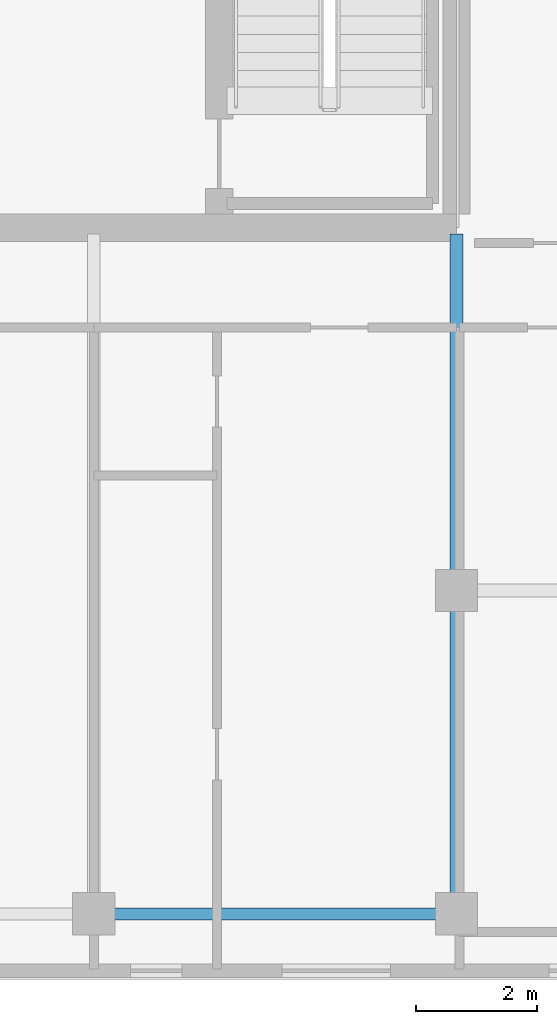
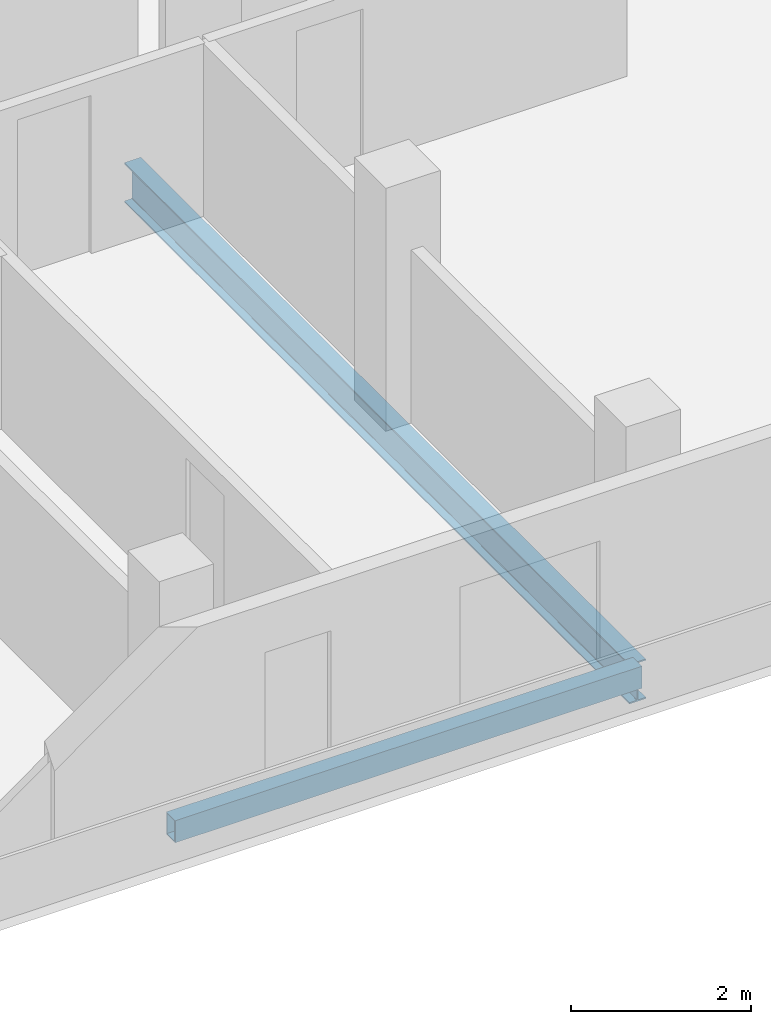
# One storey, part 15 of 29: 2 beams.
"""IFC4 building model written with IfcOpenShell, lengths in metres."""

from ifc_helpers import new_model, si_unit, direction, frame, origin, origin_2d, place, context, subcontext, project, spatial, hollow_rectangle, i_section, extrude, material, material_profile, profile_set, type_object, element, save


model = new_model("IFC4")

# Units and contexts
model_context = context("Model", 3, precision=1e-05, world=origin(), true_north=direction((0.0, 1.0)))
body_context = subcontext(model_context, "Body", "Model", "MODEL_VIEW")
ifc_project = project(units=[si_unit("LENGTHUNIT", "METRE"), si_unit("AREAUNIT", "SQUARE_METRE"), si_unit("VOLUMEUNIT", "CUBIC_METRE"), si_unit("PLANEANGLEUNIT", "RADIAN"), si_unit("MASSUNIT", "GRAM", prefix="KILO")], contexts=[model_context])

# Site, building, storey
site_placement = place(None, origin())
site = spatial("IfcSite", under=ifc_project, at=site_placement, CompositionType="ELEMENT")
building_placement = place(site_placement, origin())
building = spatial("IfcBuilding", under=site, at=building_placement, Name="Tanjung Sevakor Pilgrim Tower", CompositionType="ELEMENT")
storey_placement = place(building_placement, frame((0.0, 0.0, 235.949951171875)))
storey = spatial("IfcBuildingStorey", under=building, at=storey_placement, Name="L66", CompositionType="ELEMENT", Elevation=235.949951171875)

# Beams
ifc_material_1 = material(Name="Steel S355J2", Category="steel")
ifc_material_profile_1 = material_profile(ifc_material_1, i_section(OverallWidth=0.210693359375, OverallDepth=0.53955078125, WebThickness=0.01171875, FlangeThickness=0.018798828125, FilletRadius=0.0126953125, at=origin_2d()))
ifc_profile_set_1 = profile_set([ifc_material_profile_1], Name="Steel S355J2")
beam_type_1 = type_object("IfcBeamType", Name="BM-B-G6-UB_533x210x109", PredefinedType="BEAM", material=ifc_profile_set_1)
beam_1_placement = place(storey_placement, frame((90.0, 13.25, -0.48974609375), z_axis=(0.0, 1.0, 0.0), x_axis=(-1.0, 0.0, 0.0)))
element("IfcBeam", 1, at=beam_1_placement, inside=storey, type_object=beam_type_1, Name="L66 EAST Girder 009", PredefinedType="BEAM", context=body_context, shape_type="SweptSolid", body=[
    extrude(i_section(OverallWidth=0.210693359375, OverallDepth=0.53955078125, WebThickness=0.01171875, FlangeThickness=0.018798828125, FilletRadius=0.0126953125, at=origin_2d()), origin(), (0.0, 0.0, 1.0), 11.243896484375),
])
ifc_material_2 = material(Name="Steel S355J2", Category="steel")
ifc_material_profile_2 = material_profile(ifc_material_2, hollow_rectangle(XDim=0.199951171875, YDim=0.300048828125, WallThickness=0.012451171875, at=origin_2d()))
ifc_profile_set_2 = profile_set([ifc_material_profile_2], Name="Steel S355J2")
beam_type_2 = type_object("IfcBeamType", Name="BM-B-SP3-RHS_300x200x12.5", PredefinedType="SPANDREL", material=ifc_profile_set_2)
beam_2_placement = place(storey_placement, frame((84.0, 13.25, -0.369873046875), z_axis=(1.0, 0.0, 0.0), x_axis=(0.0, 1.0, 0.0)))
element("IfcBeam", 2, at=beam_2_placement, inside=storey, type_object=beam_type_2, Name="L66 Spandrel EAST S-05", PredefinedType="SPANDREL", context=body_context, shape_type="SweptSolid", body=[
    extrude(hollow_rectangle(XDim=0.199951171875, YDim=0.300048828125, WallThickness=0.012451171875, at=origin_2d()), origin(), (0.0, 0.0, 1.0), 6.0),
])

save(model, "model.ifc")
